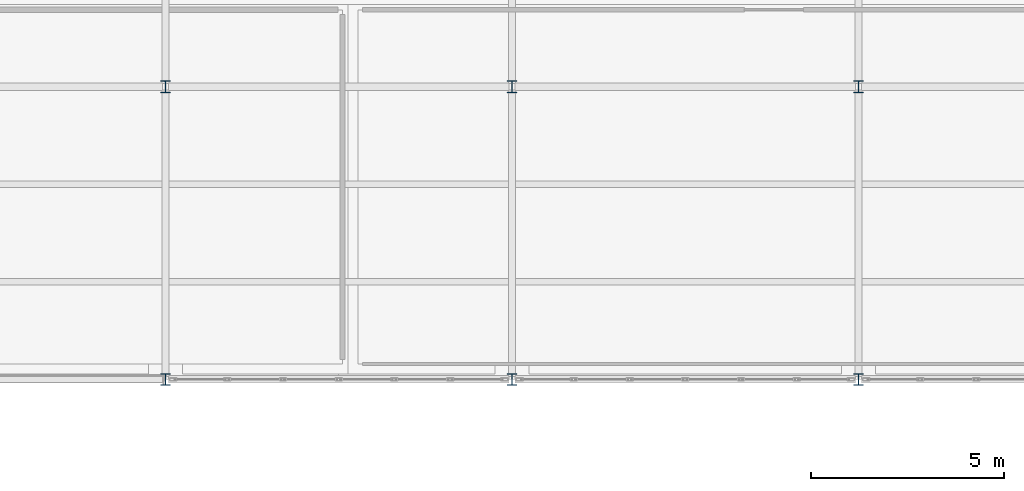
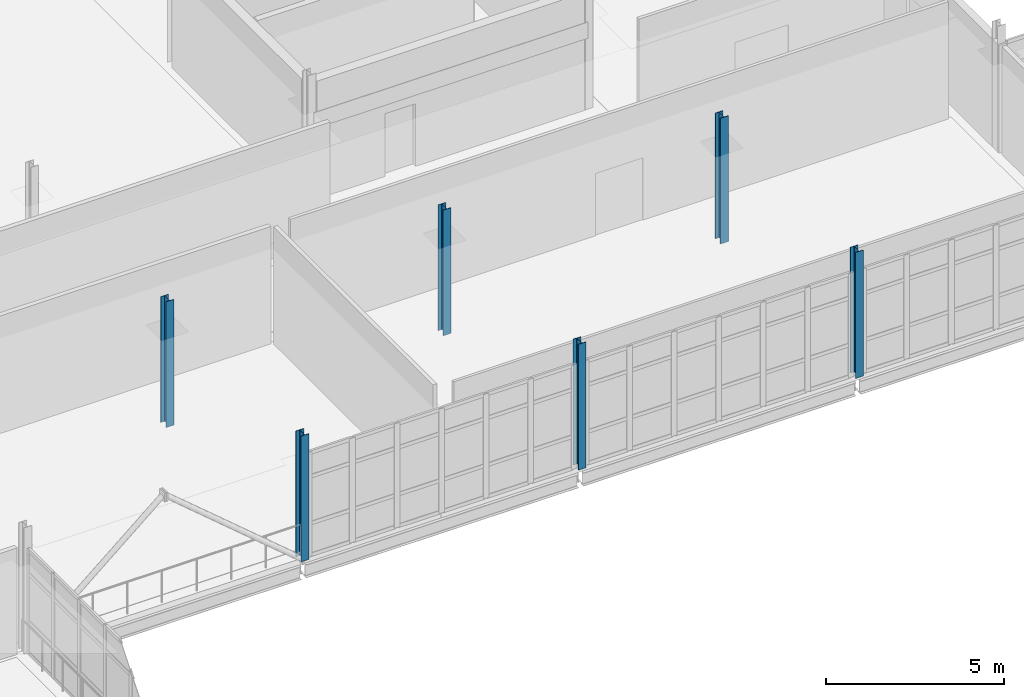
# One storey, part 18 of 174: 6 columns.
"""IFC4 building model written with IfcOpenShell, lengths in metres."""

import ifcopenshell
import ifcopenshell.guid

model = None  # the IFC model being written
_history = None  # IfcOwnerHistory: only IFC2X3 demands one
_inside = {}  # id of a spatial element -> (the spatial element, [elements in it])
_under = {}  # id of a project, library or spatial element -> (it, [spatial elements below it])
_declared = {}  # id of a project -> (the project, [libraries it declares])
_typed = {}  # id of a type object -> (the type object, [elements of that type])
_made_of = {}  # id of a material, layer set ... -> (it, [elements and type objects made of it])


def new_model(schema):
    """Start an empty IFC model of exactly this schema.

    Asked for "IFC4X3", IfcOpenShell would pick the latest addendum, in which some entities
    have other attributes; the version numbers below select the first issue.
    IFC2X3 requires an IfcOwnerHistory on every rooted entity: one is made here for all.
    """
    global model, _history
    if schema == "IFC4X3":
        model = ifcopenshell.file(schema_version=(4, 3, 0, 0))
    else:
        model = ifcopenshell.file(schema=schema)
    _inside.clear()
    _under.clear()
    _declared.clear()
    _typed.clear()
    _made_of.clear()
    _history = None
    if model.schema == "IFC2X3":
        org = make("IfcOrganization", Name="unknown")
        user = make(
            "IfcPersonAndOrganization",
            ThePerson=make("IfcPerson", FamilyName="unknown"),
            TheOrganization=org,
        )
        app = make(
            "IfcApplication",
            ApplicationDeveloper=org,
            Version="unknown",
            ApplicationFullName="unknown",
            ApplicationIdentifier="unknown",
        )
        _history = make(
            "IfcOwnerHistory",
            OwningUser=user,
            OwningApplication=app,
            ChangeAction="ADDED",
            CreationDate=0,
        )
    return model


def make(cls, **values):
    """One entity of the class cls with the attributes given. An attribute that is None is left unset."""
    return model.create_entity(
        cls, **{name: value for name, value in values.items() if value is not None}
    )


def rooted(cls, **values):
    """An entity with a GlobalId (a new one), such as an element, a storey or a relation."""
    return make(cls, GlobalId=ifcopenshell.guid.new(), OwnerHistory=_history, **values)


def si_unit(unit_type, name, prefix=None):
    """IfcSIUnit, for example si_unit("LENGTHUNIT", "METRE", prefix="MILLI")."""
    return make("IfcSIUnit", UnitType=unit_type, Prefix=prefix, Name=name)


def assignment(units):
    """IfcUnitAssignment: the units of a project."""
    return None if units is None else make("IfcUnitAssignment", Units=units)


def point(xyz):
    """IfcCartesianPoint."""
    return None if xyz is None else make("IfcCartesianPoint", Coordinates=xyz)


def direction(xyz):
    """IfcDirection."""
    return None if xyz is None else make("IfcDirection", DirectionRatios=xyz)


def frame(location, z_axis=None, x_axis=None):
    """IfcAxis2Placement3D, a coordinate frame: its origin and axes. An axis left out is left unset."""
    return make(
        "IfcAxis2Placement3D",
        Location=point(location),
        Axis=direction(z_axis),
        RefDirection=direction(x_axis),
    )


def frame_2d(location, x_axis=None):
    """IfcAxis2Placement2D, a coordinate frame in the plane: its origin and x axis."""
    return make(
        "IfcAxis2Placement2D", Location=point(location), RefDirection=direction(x_axis)
    )


def origin():
    """The frame at (0, 0, 0) with its axes left unset."""
    return frame((0.0, 0.0, 0.0))


def origin_2d():
    """The frame at (0, 0) in the plane with its x axis left unset."""
    return frame_2d((0.0, 0.0))


def place(relative_to, where):
    """IfcLocalPlacement: puts the frame where relative to a parent placement (None: the world)."""
    return make(
        "IfcLocalPlacement", PlacementRelTo=relative_to, RelativePlacement=where
    )


def context(
    kind, dimensions, precision=None, world=None, true_north=None, identifier=None
):
    """IfcGeometricRepresentationContext, for example the 3D "Model" context."""
    return make(
        "IfcGeometricRepresentationContext",
        ContextIdentifier=identifier,
        ContextType=kind,
        CoordinateSpaceDimension=dimensions,
        Precision=precision,
        WorldCoordinateSystem=world,
        TrueNorth=true_north,
    )


def subcontext(parent, identifier, kind, view, scale=None):
    """IfcGeometricRepresentationSubContext, for example "Body" below "Model"."""
    return make(
        "IfcGeometricRepresentationSubContext",
        ContextIdentifier=identifier,
        ContextType=kind,
        ParentContext=parent,
        TargetScale=scale,
        TargetView=view,
    )


def project(units=None, contexts=None):
    """IfcProject with its units and contexts."""
    return rooted(
        "IfcProject",
        Name="project",
        RepresentationContexts=contexts,
        UnitsInContext=assignment(units),
    )


def spatial(cls, under=None, at=None, **own):
    """A site, building, storey or space (cls), placed at a placement, below another one or the project."""
    s = rooted(cls, ObjectPlacement=at, **own)
    if under is not None:
        _under.setdefault(under.id(), (under, []))[1].append(s)
    return s


def profile(cls, at=None, kind="AREA", **sizes):
    """A parametric profile (cls). Its sizes go by their IFC names, for example OverallWidth=200.0."""
    return make(cls, ProfileType=kind, Position=at, **sizes)


def i_section(**sizes):
    """IfcIShapeProfileDef."""
    return profile("IfcIShapeProfileDef", **sizes)


def extrude(swept, where, along, depth):
    """IfcExtrudedAreaSolid: the profile swept, set in the frame where, extruded along a direction by depth."""
    return make(
        "IfcExtrudedAreaSolid",
        SweptArea=swept,
        Position=where,
        ExtrudedDirection=direction(along),
        Depth=depth,
    )


def shape(context_of_items, identifier, shape_type, items):
    """IfcShapeRepresentation: the items that make up one representation, for example the "Body"."""
    return make(
        "IfcShapeRepresentation",
        ContextOfItems=context_of_items,
        RepresentationIdentifier=identifier,
        RepresentationType=shape_type,
        Items=items,
    )


def material(Name=None, Category=None):
    """IfcMaterial."""
    return make("IfcMaterial", Name=Name, Category=Category)


def material_profile(
    of_material, cross_section, Name=None, Category=None, Priority=None
):
    """IfcMaterialProfile: a cross section and its material."""
    return make(
        "IfcMaterialProfile",
        Name=Name,
        Material=of_material,
        Profile=cross_section,
        Priority=Priority,
        Category=Category,
    )


def profile_set(profiles, Name=None, composite=None):
    """IfcMaterialProfileSet."""
    return make(
        "IfcMaterialProfileSet",
        Name=Name,
        MaterialProfiles=profiles,
        CompositeProfile=composite,
    )


def made_of(thing, what):
    """Note that an element or type object is made of a material, layer set ...; save() writes the relation."""
    if what is not None:
        _made_of.setdefault(what.id(), (what, []))[1].append(thing)
    return thing


def type_object(cls, material=None, **own):
    """A type object (cls), such as IfcWallType, which elements share."""
    return made_of(rooted(cls, **own), material)


def element(
    cls,
    number,
    at=None,
    inside=None,
    cuts=None,
    type_object=None,
    material=None,
    context=None,
    identifier="Body",
    shape_type=None,
    held_by="IfcProductDefinitionShape",
    body=None,
    shapes=None,
    **own,
):
    """One element of the class cls, such as IfcWall. Its Tag is "e" and its number.

    at: its placement. inside: the storey or other place that contains it. cuts: it is an
    opening in that element (IfcRelVoidsElement). A single representation is given by context,
    identifier, shape_type and body (its items); several are given by shapes. held_by: the class
    of the entity that holds the representations. save() writes the other relations.
    """
    e = rooted(cls, Tag="e%d" % number, ObjectPlacement=at, **own)
    if body is not None:
        shapes = [shape(context, identifier, shape_type, body)]
    if shapes is not None:
        e.Representation = make(held_by, Representations=shapes)
    if inside is not None:
        _inside.setdefault(inside.id(), (inside, []))[1].append(e)
    if cuts is not None:
        rooted(
            "IfcRelVoidsElement", RelatingBuildingElement=cuts, RelatedOpeningElement=e
        )
    if type_object is not None:
        _typed.setdefault(type_object.id(), (type_object, []))[1].append(e)
    return made_of(e, material)


def aggregate(whole, parts):
    """IfcRelAggregates: a whole, such as a stair, and the parts it consists of."""
    return rooted("IfcRelAggregates", RelatingObject=whole, RelatedObjects=parts)


def save(model, path):
    """Write the relations noted so far, then the file.

    IfcRelAggregates (storeys below a building ...), IfcRelContainedInSpatialStructure (elements
    in a storey), IfcRelDefinesByType, IfcRelAssociatesMaterial and IfcRelDeclares: one each for
    every whole, place, type object, material and project.
    """
    for whole, parts in _under.values():
        aggregate(whole, parts)
    for where, things in _inside.values():
        rooted(
            "IfcRelContainedInSpatialStructure",
            RelatedElements=things,
            RelatingStructure=where,
        )
    for kind, things in _typed.values():
        rooted("IfcRelDefinesByType", RelatedObjects=things, RelatingType=kind)
    for what, things in _made_of.values():
        rooted("IfcRelAssociatesMaterial", RelatedObjects=things, RelatingMaterial=what)
    for by, libraries in _declared.values():
        rooted("IfcRelDeclares", RelatingContext=by, RelatedDefinitions=libraries)
    model.write(path)


model = new_model("IFC4")

# Units and contexts
model_context = context("Model", 3, precision=1e-05, world=origin(), true_north=direction((0.0, 1.0)))
body_context = subcontext(model_context, "Body", "Model", "MODEL_VIEW")
ifc_project = project(units=[si_unit("LENGTHUNIT", "METRE"), si_unit("AREAUNIT", "SQUARE_METRE"), si_unit("VOLUMEUNIT", "CUBIC_METRE"), si_unit("PLANEANGLEUNIT", "RADIAN"), si_unit("MASSUNIT", "GRAM", prefix="KILO")], contexts=[model_context])

# Site, building, storey
site_placement = place(None, origin())
site = spatial("IfcSite", under=ifc_project, at=site_placement, CompositionType="ELEMENT")
building_placement = place(site_placement, origin())
building = spatial("IfcBuilding", under=site, at=building_placement, Name="Caisbarro Railhouse Central Library", CompositionType="ELEMENT")
storey_placement = place(building_placement, frame((0.0, 0.0, 5.0400390625)))
storey = spatial("IfcBuildingStorey", under=building, at=storey_placement, Name="L01", CompositionType="ELEMENT", Elevation=5.0400390625)

# Columns
ifc_material = material(Name="Steel ASTM A572 Grade 50", Category="steel")
ifc_material_profile = material_profile(ifc_material, i_section(OverallWidth=0.25390625, OverallDepth=0.305908203125, WebThickness=0.0087890625, FlangeThickness=0.0146484375, FilletRadius=0.014892578125, at=origin_2d()), Name="W310X79.0")
ifc_profile_set = profile_set([ifc_material_profile], Name="Steel ASTM A572 Grade 50")
column_type = type_object("IfcColumnType", Name="COL-C07", PredefinedType="COLUMN", material=ifc_profile_set)
for number, where, z_axis, x_axis, name in (
    (1, (72.0, 83.60009765625, 0.0), (0.0, 0.0, 1.0), (1.0, 0.0, 0.0), "C07 column L01 (72.0,83.6)"),
    (2, (72.0, 91.199951171875, 0.0), (0.0, 0.0, 1.0), (1.0, 0.0, 0.0), "C07 column L01 (72.0,91.2)"),
    (3, (81.0, 83.60009765625, 0.0), (0.0, 0.0, 1.0), (1.0, 0.0, 0.0), "C07 column L01 (81.0,83.6)"),
    (4, (81.0, 91.199951171875, 0.0), (0.0, 0.0, 1.0), (1.0, 0.0, 0.0), "C07 column L01 (81.0,91.2)"),
    (5, (90.0, 83.60009765625, 0.0), (0.0, 0.0, 1.0), (1.0, 0.0, 0.0), "C07 column L01 (90.0,83.6)"),
    (6, (90.0, 91.199951171875, 0.0), (0.0, 0.0, 1.0), (1.0, 0.0, 0.0), "C07 column L01 (90.0,91.2)"),
):
    element("IfcColumn", number, at=place(storey_placement, frame(where, z_axis=z_axis, x_axis=x_axis)), inside=storey, type_object=column_type, Name=name, PredefinedType="COLUMN", context=body_context, shape_type="SweptSolid", body=[
        extrude(i_section(OverallWidth=0.25390625, OverallDepth=0.305908203125, WebThickness=0.0087890625, FlangeThickness=0.0146484375, FilletRadius=0.014892578125, at=origin_2d()), origin(), (0.0, 0.0, 1.0), 4.320068359375),
    ])

save(model, "model.ifc")
